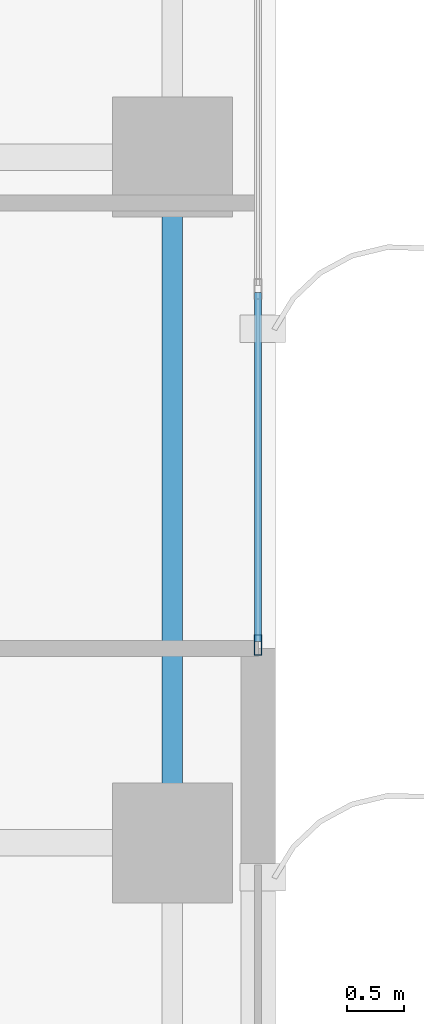
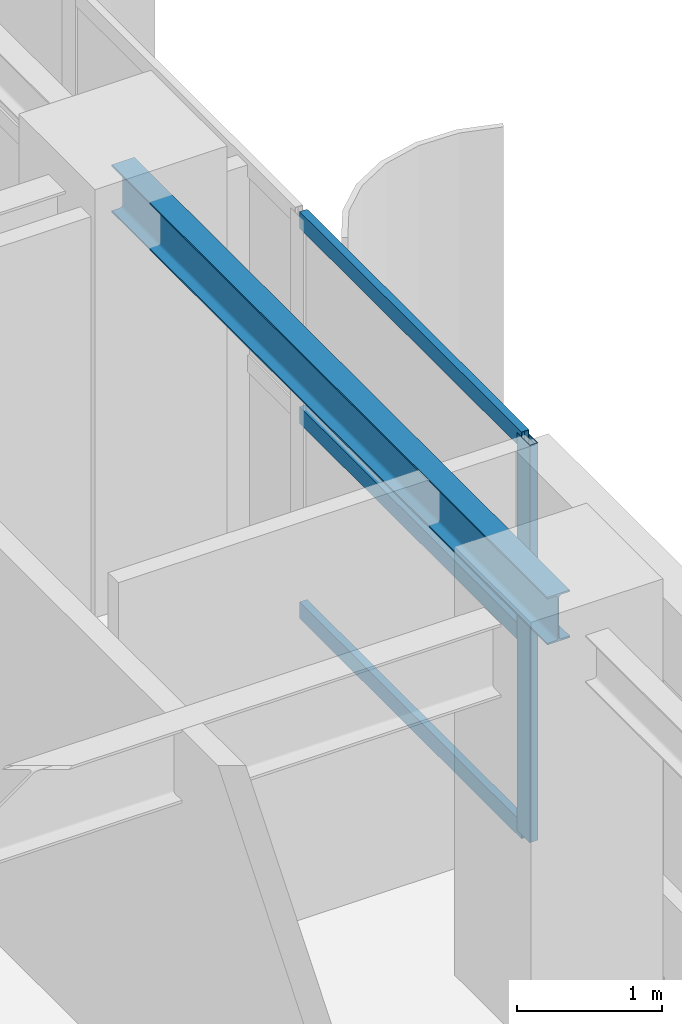
# One storey, part 6 of 25: 4 members, 1 beam, 1 element without a shape of its own.
"""IFC4 building model written with IfcOpenShell, lengths in metres."""

from ifc_helpers import new_model, si_unit, direction, frame, origin, origin_2d, place, context, subcontext, project, spatial, hollow_rectangle, i_section, extrude, source, transform, mapped, material, layer, layer_set, material_profile, profile_set, type_object, element, aggregate, save


model = new_model("IFC4")

# Units and contexts
model_context = context("Model", 3, precision=1e-05, world=origin(), true_north=direction((0.0, 1.0)))
body_context = subcontext(model_context, "Body", "Model", "MODEL_VIEW")
ifc_project = project(units=[si_unit("LENGTHUNIT", "METRE"), si_unit("AREAUNIT", "SQUARE_METRE"), si_unit("VOLUMEUNIT", "CUBIC_METRE"), si_unit("PLANEANGLEUNIT", "RADIAN"), si_unit("MASSUNIT", "GRAM", prefix="KILO")], contexts=[model_context])

# Site, building, storey
site_placement = place(None, origin())
site = spatial("IfcSite", under=ifc_project, at=site_placement, CompositionType="ELEMENT")
building_placement = place(site_placement, origin())
building = spatial("IfcBuilding", under=site, at=building_placement, Name="Khoralis Quay Care Tower", CompositionType="ELEMENT")
storey_placement = place(building_placement, frame((0.0, 0.0, 134.10009765625)))
storey = spatial("IfcBuildingStorey", under=building, at=storey_placement, Name="L35", CompositionType="ELEMENT", Elevation=134.10009765625)

# Beam
ifc_material_1 = material(Name="Steel S355", Category="steel")
ifc_material_profile_1 = material_profile(ifc_material_1, i_section(OverallWidth=0.179931640625, OverallDepth=0.39990234375, WebThickness=0.008544921875, FlangeThickness=0.013427734375, FilletRadius=0.02099609375, at=origin_2d()), Name="Steel S355")
ifc_profile_set_1 = profile_set([ifc_material_profile_1], Name="Steel S355")
beam_type = type_object("IfcBeamType", Name="BM-IPE400", PredefinedType="SPANDREL", material=ifc_profile_set_1)
shared_shape_1 = source(origin(), body_context, "Body", "SweptSolid", [
    extrude(i_section(OverallWidth=0.179931640625, OverallDepth=0.39990234375, WebThickness=0.008544921875, FlangeThickness=0.013427734375, FilletRadius=0.02099609375, at=origin_2d()), origin(), (0.0, 0.0, 1.0), 6.0),
])
beam_placement = place(storey_placement, frame((44.10009765625, 18.0, 3.139892578125), z_axis=(0.0, 1.0, 0.0), x_axis=(-1.0, 0.0, 0.0)))
element("IfcBeam", 1, at=beam_placement, inside=storey, type_object=beam_type, Name="BM-TSP-L35-18", PredefinedType="SPANDREL", context=body_context, shape_type="MappedRepresentation", body=[
    mapped(shared_shape_1, transform((0.0, 0.0, 0.0), scale=1.0)),
])

# Curtain wall, members
ifc_material_2 = material(Name="Pale anodised aluminium", Category="aluminium")
ifc_layer = layer(ifc_material_2, 0.169921875)
ifc_layer_set = layer_set([ifc_layer], Name="Pale anodised aluminium")
curtain_wall_type = type_object("IfcCurtainWallType", Name="CW-SYS-Z2", PredefinedType="NOTDEFINED", material=ifc_layer_set)
curtain_wall_placement = place(storey_placement, origin())
curtain_wall = element("IfcCurtainWall", 2, at=curtain_wall_placement, inside=storey, type_object=curtain_wall_type, Name="L35 Unitised Curtain Wall CW-L35-P1-E5", PredefinedType="NOTDEFINED")
ifc_material_profile_2 = material_profile(ifc_material_2, hollow_rectangle(XDim=0.06005859375, YDim=0.139892578125, WallThickness=0.00390625, at=origin_2d()), Name="Pale anodised aluminium")
ifc_profile_set_2 = profile_set([ifc_material_profile_2], Name="Pale anodised aluminium")
member_type_1 = type_object("IfcMemberType", Name="CW-TRN-140", PredefinedType="USERDEFINED", material=ifc_profile_set_2)
shared_shape_2 = source(origin(), body_context, "Body", "SweptSolid", [
    extrude(hollow_rectangle(XDim=0.06005859375, YDim=0.139892578125, WallThickness=0.00390625, at=origin_2d()), origin(), (0.0, 0.0, 1.0), 3.054931640625),
])
member_1_placement = place(storey_placement, frame((44.85009765625, 19.760009765625, 0.02978515625), z_axis=(0.0, 1.0, 0.0), x_axis=(-1.0, 0.0, 0.0)))
member_1 = element("IfcMember", 3, at=member_1_placement, type_object=member_type_1, Name="CW2 transom 1.1", ObjectType="TRANSOM", PredefinedType="USERDEFINED", context=body_context, shape_type="MappedRepresentation", body=[
    mapped(shared_shape_2, transform((0.0, 0.0, 0.0), scale=1.0)),
])
member_2_placement = place(storey_placement, frame((44.85009765625, 19.760009765625, 1.669921875), z_axis=(0.0, 1.0, 0.0), x_axis=(-1.0, 0.0, 0.0)))
member_2 = element("IfcMember", 4, at=member_2_placement, type_object=member_type_1, Name="CW2 transom 1.2", ObjectType="TRANSOM", PredefinedType="USERDEFINED", context=body_context, shape_type="MappedRepresentation", body=[
    mapped(shared_shape_2, transform((0.0, 0.0, 0.0), scale=1.0)),
])
member_3_placement = place(storey_placement, frame((44.85009765625, 19.760009765625, 3.309814453125), z_axis=(0.0, 1.0, 0.0), x_axis=(-1.0, 0.0, 0.0)))
member_3 = element("IfcMember", 5, at=member_3_placement, type_object=member_type_1, Name="CW2 transom 1.3", ObjectType="TRANSOM", PredefinedType="USERDEFINED", context=body_context, shape_type="MappedRepresentation", body=[
    mapped(shared_shape_2, transform((0.0, 0.0, 0.0), scale=1.0)),
])
ifc_material_profile_3 = material_profile(ifc_material_2, hollow_rectangle(XDim=0.06494140625, YDim=0.179931640625, WallThickness=0.00390625, at=origin_2d()), Name="Pale anodised aluminium")
ifc_profile_set_3 = profile_set([ifc_material_profile_3], Name="Pale anodised aluminium")
member_type_2 = type_object("IfcMemberType", Name="CW-MUL-180", PredefinedType="MULLION", material=ifc_profile_set_3)
shared_shape_3 = source(origin(), body_context, "Body", "SweptSolid", [
    extrude(hollow_rectangle(XDim=0.06494140625, YDim=0.179931640625, WallThickness=0.00390625, at=origin_2d()), origin(), (0.0, 0.0, 1.0), 3.33984375),
])
member_4_placement = place(storey_placement, frame((44.85009765625, 19.72998046875, 0.0), z_axis=(0.0, 0.0, 1.0), x_axis=(-1.0, 0.0, 0.0)))
member_4 = element("IfcMember", 6, at=member_4_placement, type_object=member_type_2, Name="CW2 mullion 1", PredefinedType="MULLION", context=body_context, shape_type="MappedRepresentation", body=[
    mapped(shared_shape_3, transform((0.0, 0.0, 0.0), scale=1.0)),
])
aggregate(curtain_wall, [member_4, member_1, member_2, member_3])

save(model, "model.ifc")
